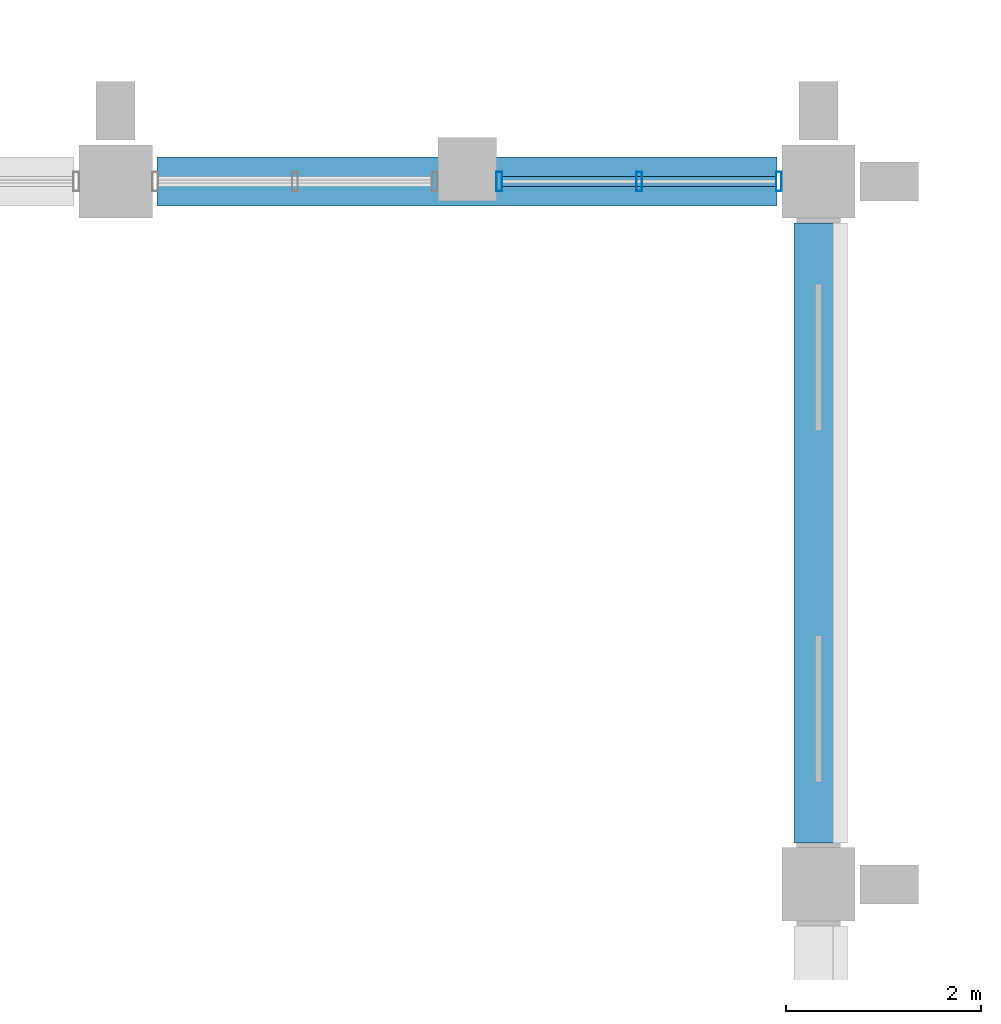
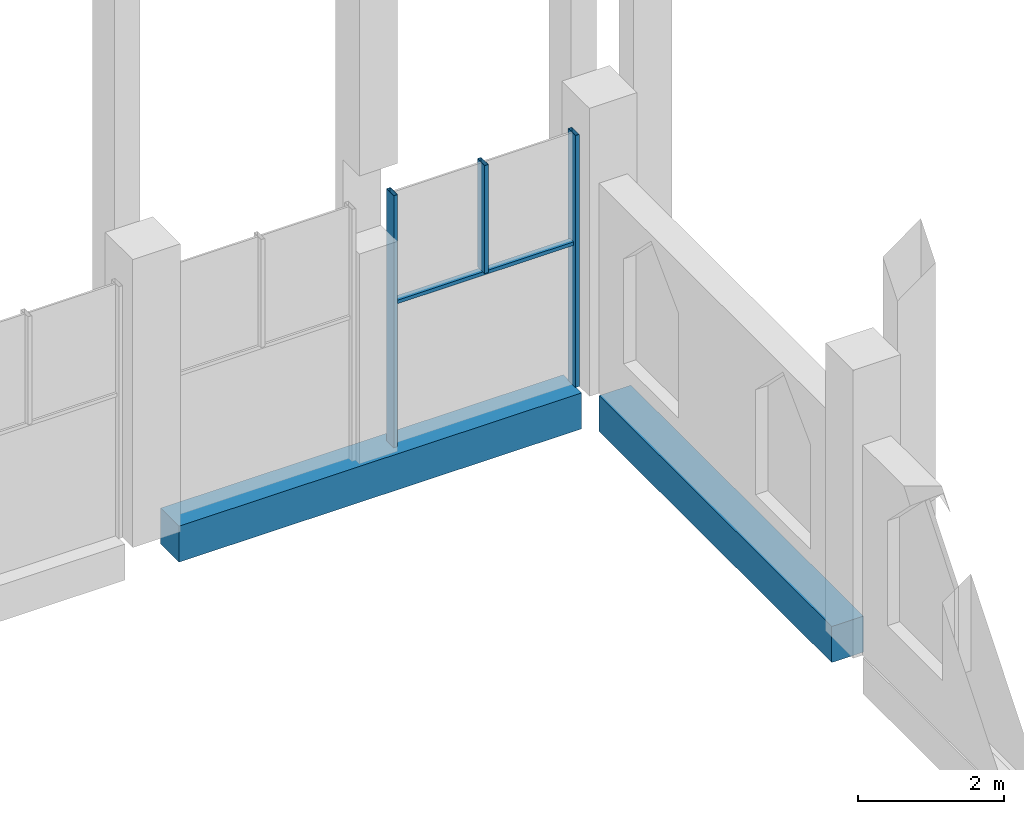
# One storey, part 14 of 40: 4 members, 2 beams, 1 element without a shape of its own.
"""IFC4 building model written with IfcOpenShell, lengths in metres."""

import ifcopenshell
import ifcopenshell.guid

model = None  # the IFC model being written
_history = None  # IfcOwnerHistory: only IFC2X3 demands one
_inside = {}  # id of a spatial element -> (the spatial element, [elements in it])
_under = {}  # id of a project, library or spatial element -> (it, [spatial elements below it])
_declared = {}  # id of a project -> (the project, [libraries it declares])
_typed = {}  # id of a type object -> (the type object, [elements of that type])
_made_of = {}  # id of a material, layer set ... -> (it, [elements and type objects made of it])


def new_model(schema):
    """Start an empty IFC model of exactly this schema.

    Asked for "IFC4X3", IfcOpenShell would pick the latest addendum, in which some entities
    have other attributes; the version numbers below select the first issue.
    IFC2X3 requires an IfcOwnerHistory on every rooted entity: one is made here for all.
    """
    global model, _history
    if schema == "IFC4X3":
        model = ifcopenshell.file(schema_version=(4, 3, 0, 0))
    else:
        model = ifcopenshell.file(schema=schema)
    _inside.clear()
    _under.clear()
    _declared.clear()
    _typed.clear()
    _made_of.clear()
    _history = None
    if model.schema == "IFC2X3":
        org = make("IfcOrganization", Name="unknown")
        user = make(
            "IfcPersonAndOrganization",
            ThePerson=make("IfcPerson", FamilyName="unknown"),
            TheOrganization=org,
        )
        app = make(
            "IfcApplication",
            ApplicationDeveloper=org,
            Version="unknown",
            ApplicationFullName="unknown",
            ApplicationIdentifier="unknown",
        )
        _history = make(
            "IfcOwnerHistory",
            OwningUser=user,
            OwningApplication=app,
            ChangeAction="ADDED",
            CreationDate=0,
        )
    return model


def make(cls, **values):
    """One entity of the class cls with the attributes given. An attribute that is None is left unset."""
    return model.create_entity(
        cls, **{name: value for name, value in values.items() if value is not None}
    )


def rooted(cls, **values):
    """An entity with a GlobalId (a new one), such as an element, a storey or a relation."""
    return make(cls, GlobalId=ifcopenshell.guid.new(), OwnerHistory=_history, **values)


def si_unit(unit_type, name, prefix=None):
    """IfcSIUnit, for example si_unit("LENGTHUNIT", "METRE", prefix="MILLI")."""
    return make("IfcSIUnit", UnitType=unit_type, Prefix=prefix, Name=name)


def assignment(units):
    """IfcUnitAssignment: the units of a project."""
    return None if units is None else make("IfcUnitAssignment", Units=units)


def point(xyz):
    """IfcCartesianPoint."""
    return None if xyz is None else make("IfcCartesianPoint", Coordinates=xyz)


def direction(xyz):
    """IfcDirection."""
    return None if xyz is None else make("IfcDirection", DirectionRatios=xyz)


def frame(location, z_axis=None, x_axis=None):
    """IfcAxis2Placement3D, a coordinate frame: its origin and axes. An axis left out is left unset."""
    return make(
        "IfcAxis2Placement3D",
        Location=point(location),
        Axis=direction(z_axis),
        RefDirection=direction(x_axis),
    )


def frame_2d(location, x_axis=None):
    """IfcAxis2Placement2D, a coordinate frame in the plane: its origin and x axis."""
    return make(
        "IfcAxis2Placement2D", Location=point(location), RefDirection=direction(x_axis)
    )


def origin():
    """The frame at (0, 0, 0) with its axes left unset."""
    return frame((0.0, 0.0, 0.0))


def origin_2d():
    """The frame at (0, 0) in the plane with its x axis left unset."""
    return frame_2d((0.0, 0.0))


def place(relative_to, where):
    """IfcLocalPlacement: puts the frame where relative to a parent placement (None: the world)."""
    return make(
        "IfcLocalPlacement", PlacementRelTo=relative_to, RelativePlacement=where
    )


def context(
    kind, dimensions, precision=None, world=None, true_north=None, identifier=None
):
    """IfcGeometricRepresentationContext, for example the 3D "Model" context."""
    return make(
        "IfcGeometricRepresentationContext",
        ContextIdentifier=identifier,
        ContextType=kind,
        CoordinateSpaceDimension=dimensions,
        Precision=precision,
        WorldCoordinateSystem=world,
        TrueNorth=true_north,
    )


def subcontext(parent, identifier, kind, view, scale=None):
    """IfcGeometricRepresentationSubContext, for example "Body" below "Model"."""
    return make(
        "IfcGeometricRepresentationSubContext",
        ContextIdentifier=identifier,
        ContextType=kind,
        ParentContext=parent,
        TargetScale=scale,
        TargetView=view,
    )


def project(units=None, contexts=None):
    """IfcProject with its units and contexts."""
    return rooted(
        "IfcProject",
        Name="project",
        RepresentationContexts=contexts,
        UnitsInContext=assignment(units),
    )


def spatial(cls, under=None, at=None, **own):
    """A site, building, storey or space (cls), placed at a placement, below another one or the project."""
    s = rooted(cls, ObjectPlacement=at, **own)
    if under is not None:
        _under.setdefault(under.id(), (under, []))[1].append(s)
    return s


def profile(cls, at=None, kind="AREA", **sizes):
    """A parametric profile (cls). Its sizes go by their IFC names, for example OverallWidth=200.0."""
    return make(cls, ProfileType=kind, Position=at, **sizes)


def rectangle(**sizes):
    """IfcRectangleProfileDef."""
    return profile("IfcRectangleProfileDef", **sizes)


def hollow_rectangle(**sizes):
    """IfcRectangleHollowProfileDef."""
    return profile("IfcRectangleHollowProfileDef", **sizes)


def extrude(swept, where, along, depth):
    """IfcExtrudedAreaSolid: the profile swept, set in the frame where, extruded along a direction by depth."""
    return make(
        "IfcExtrudedAreaSolid",
        SweptArea=swept,
        Position=where,
        ExtrudedDirection=direction(along),
        Depth=depth,
    )


def shape(context_of_items, identifier, shape_type, items):
    """IfcShapeRepresentation: the items that make up one representation, for example the "Body"."""
    return make(
        "IfcShapeRepresentation",
        ContextOfItems=context_of_items,
        RepresentationIdentifier=identifier,
        RepresentationType=shape_type,
        Items=items,
    )


def material(Name=None, Category=None):
    """IfcMaterial."""
    return make("IfcMaterial", Name=Name, Category=Category)


def material_profile(
    of_material, cross_section, Name=None, Category=None, Priority=None
):
    """IfcMaterialProfile: a cross section and its material."""
    return make(
        "IfcMaterialProfile",
        Name=Name,
        Material=of_material,
        Profile=cross_section,
        Priority=Priority,
        Category=Category,
    )


def profile_set(profiles, Name=None, composite=None):
    """IfcMaterialProfileSet."""
    return make(
        "IfcMaterialProfileSet",
        Name=Name,
        MaterialProfiles=profiles,
        CompositeProfile=composite,
    )


def made_of(thing, what):
    """Note that an element or type object is made of a material, layer set ...; save() writes the relation."""
    if what is not None:
        _made_of.setdefault(what.id(), (what, []))[1].append(thing)
    return thing


def type_object(cls, material=None, **own):
    """A type object (cls), such as IfcWallType, which elements share."""
    return made_of(rooted(cls, **own), material)


def element(
    cls,
    number,
    at=None,
    inside=None,
    cuts=None,
    type_object=None,
    material=None,
    context=None,
    identifier="Body",
    shape_type=None,
    held_by="IfcProductDefinitionShape",
    body=None,
    shapes=None,
    **own,
):
    """One element of the class cls, such as IfcWall. Its Tag is "e" and its number.

    at: its placement. inside: the storey or other place that contains it. cuts: it is an
    opening in that element (IfcRelVoidsElement). A single representation is given by context,
    identifier, shape_type and body (its items); several are given by shapes. held_by: the class
    of the entity that holds the representations. save() writes the other relations.
    """
    e = rooted(cls, Tag="e%d" % number, ObjectPlacement=at, **own)
    if body is not None:
        shapes = [shape(context, identifier, shape_type, body)]
    if shapes is not None:
        e.Representation = make(held_by, Representations=shapes)
    if inside is not None:
        _inside.setdefault(inside.id(), (inside, []))[1].append(e)
    if cuts is not None:
        rooted(
            "IfcRelVoidsElement", RelatingBuildingElement=cuts, RelatedOpeningElement=e
        )
    if type_object is not None:
        _typed.setdefault(type_object.id(), (type_object, []))[1].append(e)
    return made_of(e, material)


def aggregate(whole, parts):
    """IfcRelAggregates: a whole, such as a stair, and the parts it consists of."""
    return rooted("IfcRelAggregates", RelatingObject=whole, RelatedObjects=parts)


def save(model, path):
    """Write the relations noted so far, then the file.

    IfcRelAggregates (storeys below a building ...), IfcRelContainedInSpatialStructure (elements
    in a storey), IfcRelDefinesByType, IfcRelAssociatesMaterial and IfcRelDeclares: one each for
    every whole, place, type object, material and project.
    """
    for whole, parts in _under.values():
        aggregate(whole, parts)
    for where, things in _inside.values():
        rooted(
            "IfcRelContainedInSpatialStructure",
            RelatedElements=things,
            RelatingStructure=where,
        )
    for kind, things in _typed.values():
        rooted("IfcRelDefinesByType", RelatedObjects=things, RelatingType=kind)
    for what, things in _made_of.values():
        rooted("IfcRelAssociatesMaterial", RelatedObjects=things, RelatingMaterial=what)
    for by, libraries in _declared.values():
        rooted("IfcRelDeclares", RelatingContext=by, RelatedDefinitions=libraries)
    model.write(path)


model = new_model("IFC4")

# Units and contexts
model_context = context("Model", 3, precision=1e-05, world=origin(), true_north=direction((0.0, 1.0)))
body_context = subcontext(model_context, "Body", "Model", "MODEL_VIEW")
ifc_project = project(units=[si_unit("LENGTHUNIT", "METRE"), si_unit("AREAUNIT", "SQUARE_METRE"), si_unit("VOLUMEUNIT", "CUBIC_METRE"), si_unit("PLANEANGLEUNIT", "RADIAN"), si_unit("MASSUNIT", "GRAM", prefix="KILO")], contexts=[model_context])

# Site, building, storey
site_placement = place(None, origin())
site = spatial("IfcSite", under=ifc_project, at=site_placement, CompositionType="ELEMENT")
building_placement = place(site_placement, origin())
building = spatial("IfcBuilding", under=site, at=building_placement, Name="Silangan Lancet Faculty of Sciences", CompositionType="ELEMENT")
storey_placement = place(building_placement, frame((0.0, 0.0, 21.60009765625)))
storey = spatial("IfcBuildingStorey", under=building, at=storey_placement, Name="L04", CompositionType="ELEMENT", Elevation=21.60009765625)

# Beams
ifc_material_1 = material(Name="Concrete C40/50", Category="concrete")
ifc_material_profile_1 = material_profile(ifc_material_1, rectangle(XDim=0.5, YDim=0.60009765625, at=origin_2d()), Name="RC 500x600")
ifc_profile_set_1 = profile_set([ifc_material_profile_1], Name="Concrete C40/50")
beam_type = type_object("IfcBeamType", Name="BEAM RC 500x600", PredefinedType="BEAM", material=ifc_profile_set_1)
beam_1_placement = place(storey_placement, frame((43.625, 36.0, -0.300048828125), z_axis=(1.0, 0.0, 0.0), x_axis=(0.0, 1.0, 0.0)))
element("IfcBeam", 1, at=beam_1_placement, inside=storey, type_object=beam_type, Name="BM-L04-7F-8F", PredefinedType="BEAM", context=body_context, shape_type="SweptSolid", body=[
    extrude(rectangle(XDim=0.5, YDim=0.60009765625, at=origin_2d()), origin(), (0.0, 0.0, 1.0), 6.35009765625),
])
beam_2_placement = place(storey_placement, frame((50.39990234375, 29.22509765625, -0.300048828125), z_axis=(0.0, 1.0, 0.0), x_axis=(-1.0, 0.0, 0.0)))
element("IfcBeam", 2, at=beam_2_placement, inside=storey, type_object=beam_type, Name="BM-L04-8E-8F", PredefinedType="BEAM", context=body_context, shape_type="SweptSolid", body=[
    extrude(rectangle(XDim=0.5, YDim=0.60009765625, at=origin_2d()), origin(), (0.0, 0.0, 1.0), 6.349853515625),
])

# Curtain wall, members
ifc_material_2 = material(Name="Aluminium framed curtain wall with insulated glass", Category="aluminium")
curtain_wall_type = type_object("IfcCurtainWallType", Name="CW5 Nave north light glazing", PredefinedType="NOTDEFINED", material=ifc_material_2)
curtain_wall_placement = place(storey_placement, origin())
curtain_wall = element("IfcCurtainWall", 3, at=curtain_wall_placement, inside=storey, type_object=curtain_wall_type, Name="CW5 Nave north lights L04 bay 1", PredefinedType="NOTDEFINED")
ifc_material_3 = material(Name="Aluminium 6063-T6 extrusion", Category="aluminium")
ifc_material_profile_2 = material_profile(ifc_material_3, hollow_rectangle(XDim=0.06005859375, YDim=0.199951171875, WallThickness=0.00390625, at=origin_2d()), Name="AL BOX 60x200x4")
ifc_profile_set_2 = profile_set([ifc_material_profile_2], Name="Aluminium 6063-T6 extrusion")
member_type_1 = type_object("IfcMemberType", Name="CM1 Mullion 60x200", PredefinedType="MULLION", material=ifc_profile_set_2)
member_1_placement = place(storey_placement, frame((49.9951171875, 36.0, 0.0), z_axis=(0.0, 0.0, 1.0), x_axis=(-1.0, 0.0, 0.0)))
member_1 = element("IfcMember", 4, at=member_1_placement, type_object=member_type_1, Name="CW5 Nave north lights L04 bay 1 mullion 1", PredefinedType="MULLION", context=body_context, shape_type="SweptSolid", body=[
    extrude(hollow_rectangle(XDim=0.06005859375, YDim=0.199951171875, WallThickness=0.00390625, at=origin_2d()), origin(), (0.0, 0.0, 1.0), 4.199951171875),
])
member_2_placement = place(storey_placement, frame((47.1298828125, 36.0, 0.0), z_axis=(0.0, 0.0, 1.0), x_axis=(-1.0, 0.0, 0.0)))
member_2 = element("IfcMember", 5, at=member_2_placement, type_object=member_type_1, Name="CW5 Nave north lights L04 bay 1 mullion 2", PredefinedType="MULLION", context=body_context, shape_type="SweptSolid", body=[
    extrude(hollow_rectangle(XDim=0.06005859375, YDim=0.199951171875, WallThickness=0.00390625, at=origin_2d()), origin(), (0.0, 0.0, 1.0), 4.199951171875),
])
member_3_placement = place(storey_placement, frame((48.5625, 36.0, 2.39990234375), z_axis=(0.0, 0.0, 1.0), x_axis=(-1.0, 0.0, 0.0)))
member_3 = element("IfcMember", 6, at=member_3_placement, type_object=member_type_1, Name="CW5 Nave north lights L04 bay 1 mullion 3", PredefinedType="MULLION", context=body_context, shape_type="SweptSolid", body=[
    extrude(hollow_rectangle(XDim=0.06005859375, YDim=0.199951171875, WallThickness=0.00390625, at=origin_2d()), origin(), (0.0, 0.0, 1.0), 1.800048828125),
])
ifc_material_4 = material(Name="Aluminium 6063-T6 extrusion", Category="aluminium")
ifc_material_profile_3 = material_profile(ifc_material_4, hollow_rectangle(XDim=0.10009765625, YDim=0.06005859375, WallThickness=0.0029296875, at=origin_2d()), Name="AL BOX 100x60x3")
ifc_profile_set_3 = profile_set([ifc_material_profile_3], Name="Aluminium 6063-T6 extrusion")
member_type_2 = type_object("IfcMemberType", Name="CT1 Transom 100x60", PredefinedType="USERDEFINED", material=ifc_profile_set_3)
member_4_placement = place(storey_placement, frame((49.965087890625, 36.0, 2.369873046875), z_axis=(-1.0, 0.0, 0.0), x_axis=(0.0, -1.0, 0.0)))
member_4 = element("IfcMember", 7, at=member_4_placement, type_object=member_type_2, Name="CW5 Nave north lights L04 bay 1 transom 1", ObjectType="TRANSOM", PredefinedType="USERDEFINED", context=body_context, shape_type="SweptSolid", body=[
    extrude(hollow_rectangle(XDim=0.10009765625, YDim=0.06005859375, WallThickness=0.0029296875, at=origin_2d()), origin(), (0.0, 0.0, 1.0), 2.80517578125),
])
aggregate(curtain_wall, [member_1, member_2, member_3, member_4])

save(model, "model.ifc")
